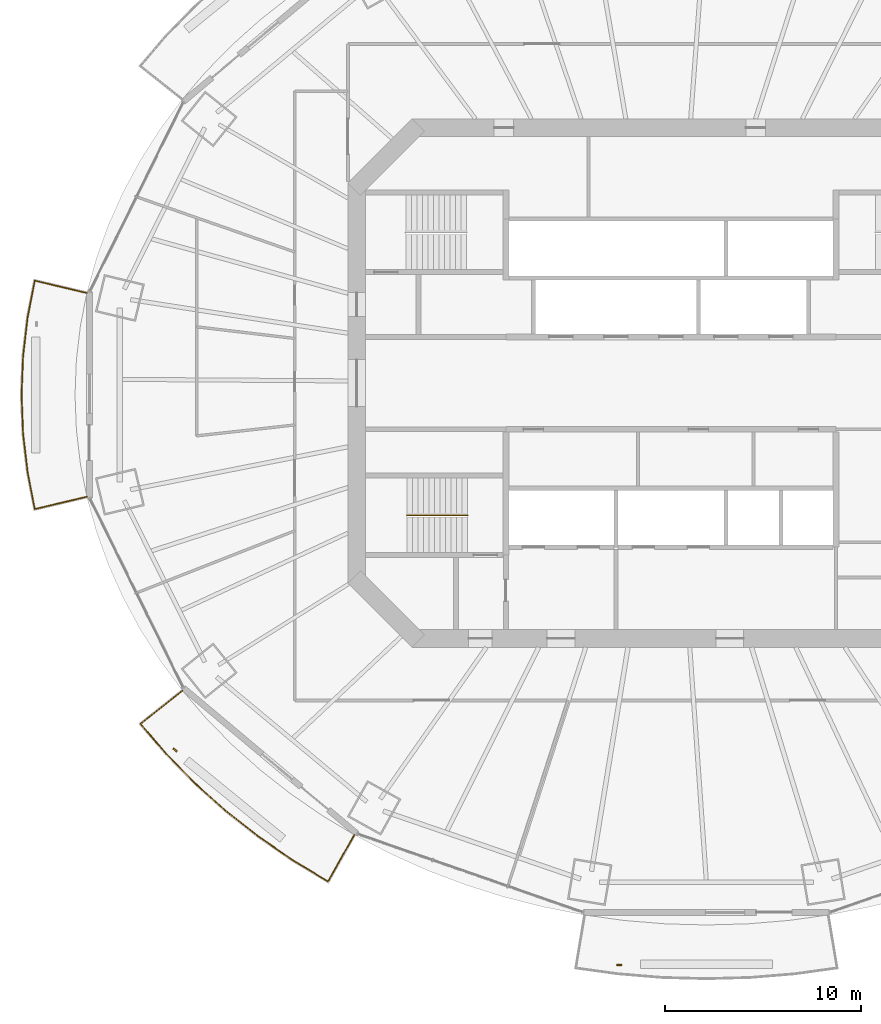
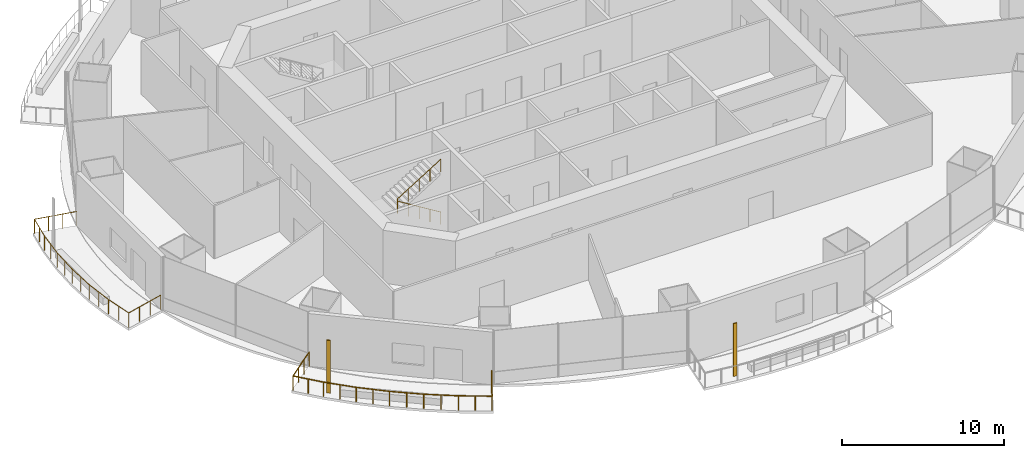
# One storey, part 15 of 20: 3 railings, 2 shading devices.
"""IFC4 building model written with IfcOpenShell, lengths in metres."""

from ifc_helpers import new_model, si_unit, direction, frame, origin, origin_2d, place, context, subcontext, project, spatial, rectangle, circle, extrude, material, material_profile, profile_set, type_object, element, save


model = new_model("IFC4")

# Units and contexts
model_context = context("Model", 3, precision=1e-05, world=origin(), true_north=direction((0.0, 1.0)))
body_context = subcontext(model_context, "Body", "Model", "MODEL_VIEW")
ifc_project = project(units=[si_unit("LENGTHUNIT", "METRE"), si_unit("AREAUNIT", "SQUARE_METRE"), si_unit("VOLUMEUNIT", "CUBIC_METRE"), si_unit("PLANEANGLEUNIT", "RADIAN"), si_unit("MASSUNIT", "GRAM", prefix="KILO")], contexts=[model_context])

# Site, building, storey
site_placement = place(None, origin())
site = spatial("IfcSite", under=ifc_project, at=site_placement, CompositionType="ELEMENT")
building_placement = place(site_placement, origin())
building = spatial("IfcBuilding", under=site, at=building_placement, Name="Marenthal Gate Tower", CompositionType="ELEMENT")
storey_placement = place(building_placement, frame((0.0, 0.0, 194.25)))
storey = spatial("IfcBuildingStorey", under=building, at=storey_placement, Name="L42", CompositionType="ELEMENT", Elevation=194.25)

# Railings
ifc_material_1 = material(Name="Stainless steel", Category="steel")
railing_type_1 = type_object("IfcRailingType", Name="Balcony guard 1100", PredefinedType="GUARDRAIL", material=ifc_material_1)
railing_1_placement = place(storey_placement, frame((-29.73583984375, -5.785888671875, 0.0)))
element("IfcRailing", 1, at=railing_1_placement, inside=storey, type_object=railing_type_1, Name="Balcony guard L42 bay 8", PredefinedType="GUARDRAIL", context=body_context, shape_type="SweptSolid", body=[
    extrude(circle(Radius=0.02392578125, at=origin_2d()), frame((0.0, 0.0, 1.076171875), z_axis=(-0.973011948097, -0.230284879064, -0.014718129449), x_axis=(0.230309825657, -0.973117353769, 0.0)), (0.0, 0.0, 1.0), 2.720458984375),
    extrude(circle(Radius=0.02392578125, at=origin_2d()), frame((-2.64697265625, -0.62646484375, 1.0361328125), z_axis=(-0.191356774256, 0.981520547389, 0.0), x_axis=(-0.981520547389, -0.191356774256, 0.0)), (0.0, 0.0, 1.0), 1.90478515625),
    extrude(circle(Radius=0.02392578125, at=origin_2d()), frame((-3.011474609375, 1.2431640625, 1.0361328125), z_axis=(-0.116519312563, 0.993188426131, 0.0), x_axis=(-0.993188426131, -0.116519312563, 0.0)), (0.0, 0.0, 1.0), 1.97998046875),
    extrude(circle(Radius=0.02392578125, at=origin_2d()), frame((-3.2421875, 3.209716796875, 1.0361328125), z_axis=(-0.038888278097, 0.999243564816, 0.0), x_axis=(-0.999243564816, -0.038888278097, 0.0)), (0.0, 0.0, 1.0), 1.9775390625),
    extrude(circle(Radius=0.02392578125, at=origin_2d()), frame((-3.319091796875, 5.185791015625, 1.0361328125), z_axis=(0.038888278097, 0.999243564816, 0.0), x_axis=(-0.999243564816, 0.038888278097, 0.0)), (0.0, 0.0, 1.0), 1.9775390625),
    extrude(circle(Radius=0.02392578125, at=origin_2d()), frame((-3.2421875, 7.161865234375, 1.0361328125), z_axis=(0.116519312563, 0.993188426131, 0.0), x_axis=(-0.993188426131, 0.116519312563, 0.0)), (0.0, 0.0, 1.0), 1.97998046875),
    extrude(circle(Radius=0.02392578125, at=origin_2d()), frame((-3.011474609375, 9.12841796875, 1.0361328125), z_axis=(0.19133270439, 0.981525239732, 0.0), x_axis=(-0.981525239732, 0.19133270439, 0.0)), (0.0, 0.0, 1.0), 1.905029296875),
    extrude(circle(Radius=0.02392578125, at=origin_2d()), frame((-2.64697265625, 10.998291015625, 1.0361328125), z_axis=(0.973011948097, -0.230284879064, 0.014718129449), x_axis=(0.230309825657, 0.973117353769, 0.0)), (0.0, 0.0, 1.0), 2.720458984375),
    extrude(circle(Radius=0.02099609375, at=origin_2d()), origin(), (0.0, 0.0, 1.0), 1.052001953125),
    extrude(circle(Radius=0.02099609375, at=origin_2d()), frame((-0.88232421875, -0.208740234375, -0.013427734375)), (0.0, 0.0, 1.0), 1.052001953125),
    extrude(circle(Radius=0.02099609375, at=origin_2d()), frame((-1.7646484375, -0.417724609375, -0.026611328125)), (0.0, 0.0, 1.0), 1.052001953125),
    extrude(circle(Radius=0.02099609375, at=origin_2d()), frame((-2.64697265625, -0.62646484375, -0.0400390625)), (0.0, 0.0, 1.0), 1.052001953125),
    extrude(circle(Radius=0.02099609375, at=origin_2d()), frame((-2.8291015625, 0.308349609375, -0.0400390625)), (0.0, 0.0, 1.0), 1.052001953125),
    extrude(circle(Radius=0.02099609375, at=origin_2d()), frame((-3.011474609375, 1.2431640625, -0.0400390625)), (0.0, 0.0, 1.0), 1.052001953125),
    extrude(circle(Radius=0.02099609375, at=origin_2d()), frame((-3.126953125, 2.2265625, -0.0400390625)), (0.0, 0.0, 1.0), 1.052001953125),
    extrude(circle(Radius=0.02099609375, at=origin_2d()), frame((-3.2421875, 3.209716796875, -0.0400390625)), (0.0, 0.0, 1.0), 1.052001953125),
    extrude(circle(Radius=0.02099609375, at=origin_2d()), frame((-3.28076171875, 4.19775390625, -0.0400390625)), (0.0, 0.0, 1.0), 1.052001953125),
    extrude(circle(Radius=0.02099609375, at=origin_2d()), frame((-3.319091796875, 5.185791015625, -0.0400390625)), (0.0, 0.0, 1.0), 1.052001953125),
    extrude(circle(Radius=0.02099609375, at=origin_2d()), frame((-3.28076171875, 6.173828125, -0.0400390625)), (0.0, 0.0, 1.0), 1.052001953125),
    extrude(circle(Radius=0.02099609375, at=origin_2d()), frame((-3.2421875, 7.161865234375, -0.0400390625)), (0.0, 0.0, 1.0), 1.052001953125),
    extrude(circle(Radius=0.02099609375, at=origin_2d()), frame((-3.126953125, 8.14501953125, -0.0400390625)), (0.0, 0.0, 1.0), 1.052001953125),
    extrude(circle(Radius=0.02099609375, at=origin_2d()), frame((-3.011474609375, 9.12841796875, -0.0400390625)), (0.0, 0.0, 1.0), 1.052001953125),
    extrude(circle(Radius=0.02099609375, at=origin_2d()), frame((-2.8291015625, 10.0634765625, -0.0400390625)), (0.0, 0.0, 1.0), 1.052001953125),
    extrude(circle(Radius=0.02099609375, at=origin_2d()), frame((-2.64697265625, 10.998291015625, -0.0400390625)), (0.0, 0.0, 1.0), 1.052001953125),
    extrude(circle(Radius=0.02099609375, at=origin_2d()), frame((-1.7646484375, 10.78955078125, -0.026611328125)), (0.0, 0.0, 1.0), 1.052001953125),
    extrude(circle(Radius=0.02099609375, at=origin_2d()), frame((-0.88232421875, 10.58056640625, -0.013427734375)), (0.0, 0.0, 1.0), 1.052001953125),
    extrude(circle(Radius=0.02099609375, at=origin_2d()), frame((0.0, 10.371826171875, 0.0)), (0.0, 0.0, 1.0), 1.052001953125),
])
railing_2_placement = place(storey_placement, frame((-16.123046875, -22.994873046875, 0.0)))
element("IfcRailing", 2, at=railing_2_placement, inside=storey, type_object=railing_type_1, Name="Balcony guard L42 bay 10", PredefinedType="GUARDRAIL", context=body_context, shape_type="SweptSolid", body=[
    extrude(circle(Radius=0.02392578125, at=origin_2d()), frame((0.0, 0.0, 1.076171875), z_axis=(-0.489517638595, -0.871869149489, -0.014719635631), x_axis=(0.871963617771, -0.489570678538, 0.0)), (0.0, 0.0, 1.0), 2.72021484375),
    extrude(circle(Radius=0.02392578125, at=origin_2d()), frame((-1.33154296875, -2.37158203125, 1.0361328125), z_axis=(-0.856269071779, 0.516530034668, 0.0), x_axis=(-0.516530034668, -0.856269071779, 0.0)), (0.0, 0.0, 1.0), 2.0810546875),
    extrude(circle(Radius=0.02392578125, at=origin_2d()), frame((-3.113525390625, -1.296630859375, 1.0361328125), z_axis=(-0.823383437497, 0.567485431404, 0.0), x_axis=(-0.567485431404, -0.823383437497, 0.0)), (0.0, 0.0, 1.0), 2.143798828125),
    extrude(circle(Radius=0.02392578125, at=origin_2d()), frame((-4.878662109375, -0.080078125, 1.0361328125), z_axis=(-0.786051281146, 0.61816129239, 0.0), x_axis=(-0.61816129239, -0.786051281146, 0.0)), (0.0, 0.0, 1.0), 2.1259765625),
    extrude(circle(Radius=0.02392578125, at=origin_2d()), frame((-6.5498046875, 1.234130859375, 1.0361328125), z_axis=(-0.744623035751, 0.667485231768, 0.0), x_axis=(-0.667485231768, -0.744623035751, 0.0)), (0.0, 0.0, 1.0), 2.10791015625),
    extrude(circle(Radius=0.02392578125, at=origin_2d()), frame((-8.119384765625, 2.64111328125, 1.0361328125), z_axis=(-0.698941095917, 0.715179239379, 0.0), x_axis=(-0.715179239379, -0.698941095917, 0.0)), (0.0, 0.0, 1.0), 2.08984375),
    extrude(circle(Radius=0.02392578125, at=origin_2d()), frame((-9.580078125, 4.1357421875, 1.0361328125), z_axis=(-0.650145331718, 0.759809875986, 0.0), x_axis=(-0.759809875986, -0.650145331718, 0.0)), (0.0, 0.0, 1.0), 1.992431640625),
    extrude(circle(Radius=0.02392578125, at=origin_2d()), frame((-10.87548828125, 5.649658203125, 1.0361328125), z_axis=(0.782654389214, 0.622282483065, 0.01471795893), x_axis=(-0.622349892908, 0.782739171626, 0.0)), (0.0, 0.0, 1.0), 2.720458984375),
    extrude(circle(Radius=0.02099609375, at=origin_2d()), origin(), (0.0, 0.0, 1.0), 1.052001953125),
    extrude(circle(Radius=0.02099609375, at=origin_2d()), frame((-0.44384765625, -0.79052734375, -0.013427734375)), (0.0, 0.0, 1.0), 1.052001953125),
    extrude(circle(Radius=0.02099609375, at=origin_2d()), frame((-0.8876953125, -1.5810546875, -0.026611328125)), (0.0, 0.0, 1.0), 1.052001953125),
    extrude(circle(Radius=0.02099609375, at=origin_2d()), frame((-1.33154296875, -2.37158203125, -0.0400390625)), (0.0, 0.0, 1.0), 1.052001953125),
    extrude(circle(Radius=0.02099609375, at=origin_2d()), frame((-2.22265625, -1.833984375, -0.0400390625)), (0.0, 0.0, 1.0), 1.052001953125),
    extrude(circle(Radius=0.02099609375, at=origin_2d()), frame((-3.113525390625, -1.296630859375, -0.0400390625)), (0.0, 0.0, 1.0), 1.052001953125),
    extrude(circle(Radius=0.02099609375, at=origin_2d()), frame((-3.99609375, -0.6884765625, -0.0400390625)), (0.0, 0.0, 1.0), 1.052001953125),
    extrude(circle(Radius=0.02099609375, at=origin_2d()), frame((-4.878662109375, -0.080078125, -0.0400390625)), (0.0, 0.0, 1.0), 1.052001953125),
    extrude(circle(Radius=0.02099609375, at=origin_2d()), frame((-5.71435546875, 0.5771484375, -0.0400390625)), (0.0, 0.0, 1.0), 1.052001953125),
    extrude(circle(Radius=0.02099609375, at=origin_2d()), frame((-6.5498046875, 1.234130859375, -0.0400390625)), (0.0, 0.0, 1.0), 1.052001953125),
    extrude(circle(Radius=0.02099609375, at=origin_2d()), frame((-7.33447265625, 1.9375, -0.0400390625)), (0.0, 0.0, 1.0), 1.052001953125),
    extrude(circle(Radius=0.02099609375, at=origin_2d()), frame((-8.119384765625, 2.64111328125, -0.0400390625)), (0.0, 0.0, 1.0), 1.052001953125),
    extrude(circle(Radius=0.02099609375, at=origin_2d()), frame((-8.849609375, 3.388427734375, -0.0400390625)), (0.0, 0.0, 1.0), 1.052001953125),
    extrude(circle(Radius=0.02099609375, at=origin_2d()), frame((-9.580078125, 4.1357421875, -0.0400390625)), (0.0, 0.0, 1.0), 1.052001953125),
    extrude(circle(Radius=0.02099609375, at=origin_2d()), frame((-10.227783203125, 4.892578125, -0.0400390625)), (0.0, 0.0, 1.0), 1.052001953125),
    extrude(circle(Radius=0.02099609375, at=origin_2d()), frame((-10.87548828125, 5.649658203125, -0.0400390625)), (0.0, 0.0, 1.0), 1.052001953125),
    extrude(circle(Radius=0.02099609375, at=origin_2d()), frame((-10.165771484375, 6.2138671875, -0.026611328125)), (0.0, 0.0, 1.0), 1.052001953125),
    extrude(circle(Radius=0.02099609375, at=origin_2d()), frame((-9.4560546875, 6.7783203125, -0.013427734375)), (0.0, 0.0, 1.0), 1.052001953125),
    extrude(circle(Radius=0.02099609375, at=origin_2d()), frame((-8.746337890625, 7.342529296875, 0.0)), (0.0, 0.0, 1.0), 1.052001953125),
])
ifc_material_2 = material(Name="Stainless steel", Category="steel")
railing_type_2 = type_object("IfcRailingType", Name="Stair handrail", PredefinedType="HANDRAIL", material=ifc_material_2)
railing_3_placement = place(storey_placement, frame((-10.35009765625, -6.72509765625, 0.1728515625)))
element("IfcRailing", 3, at=railing_3_placement, inside=storey, type_object=railing_type_2, Name="Handrail ST2", PredefinedType="HANDRAIL", context=body_context, shape_type="SweptSolid", body=[
    extrude(circle(Radius=0.0224609375, at=origin_2d()), frame((0.0, 0.0, 0.927490234375), z_axis=(-0.850816621229, 0.0, 0.525462726595), x_axis=(0.0, -1.0, 0.0)), (0.0, 0.0, 1.0), 3.619873046875),
    extrude(circle(Radius=0.0224609375, at=origin_2d()), frame((-3.079833984375, 0.0, 2.82958984375), z_axis=(0.0, 0.0, 1.0), x_axis=(1.0, 0.0, 0.0)), (0.0, 0.0, 1.0), 0.1728515625),
    extrude(circle(Radius=0.0224609375, at=origin_2d()), frame((-3.079833984375, 0.0, 3.00244140625), z_axis=(0.850816621229, 0.0, 0.525462726595), x_axis=(0.0, 1.0, 0.0)), (0.0, 0.0, 1.0), 3.619873046875),
    extrude(circle(Radius=0.02001953125, at=origin_2d()), origin(), (0.0, 0.0, 1.0), 0.905029296875),
    extrude(circle(Radius=0.02001953125, at=origin_2d()), frame((-0.77001953125, 0.0, 0.4755859375)), (0.0, 0.0, 1.0), 0.905029296875),
    extrude(circle(Radius=0.02001953125, at=origin_2d()), frame((-1.5400390625, 0.0, 0.951171875)), (0.0, 0.0, 1.0), 0.905029296875),
    extrude(circle(Radius=0.02001953125, at=origin_2d()), frame((-2.309814453125, 0.0, 1.426513671875)), (0.0, 0.0, 1.0), 0.905029296875),
    extrude(circle(Radius=0.02001953125, at=origin_2d()), frame((-3.079833984375, 0.0, 1.902099609375)), (0.0, 0.0, 1.0), 0.905029296875),
    extrude(circle(Radius=0.02001953125, at=origin_2d()), frame((-3.079833984375, 0.0, 2.074951171875)), (0.0, 0.0, 1.0), 0.905029296875),
    extrude(circle(Radius=0.02001953125, at=origin_2d()), frame((-2.309814453125, 0.0, 2.550537109375)), (0.0, 0.0, 1.0), 0.905029296875),
    extrude(circle(Radius=0.02001953125, at=origin_2d()), frame((-1.5400390625, 0.0, 3.02587890625)), (0.0, 0.0, 1.0), 0.905029296875),
    extrude(circle(Radius=0.02001953125, at=origin_2d()), frame((-0.77001953125, 0.0, 3.50146484375)), (0.0, 0.0, 1.0), 0.905029296875),
    extrude(circle(Radius=0.02001953125, at=origin_2d()), frame((0.0, 0.0, 3.97705078125)), (0.0, 0.0, 1.0), 0.905029296875),
])

# Shading devices
ifc_material_3 = material(Name="Terracotta", Category="masonry")
ifc_material_profile = material_profile(ifc_material_3, rectangle(XDim=0.25, YDim=0.080078125, at=origin_2d()), Name="Terracotta baguette 250x80")
ifc_profile_set = profile_set([ifc_material_profile], Name="Terracotta")
shading_device_type = type_object("IfcShadingDeviceType", Name="Terracotta BAGUETTE SCREEN 250x80", PredefinedType="USERDEFINED", material=ifc_profile_set)
for number, where, z_axis, x_axis, name in (
    (4, (-25.243408203125, -18.675048828125, -0.0400390625), (0.0, 0.0, 1.0), (0.765779593212, -0.64310311352, 0.0), "Terracotta BAGUETTE L42 bay 10L"),
    (5, (-2.63037109375, -29.625, -0.0400390625), (0.0, 0.0, 1.0), (1.0, 0.0, 0.0), "Terracotta BAGUETTE L42 bay 12L"),
):
    element("IfcShadingDevice", number, at=place(storey_placement, frame(where, z_axis=z_axis, x_axis=x_axis)), inside=storey, type_object=shading_device_type, Name=name, ObjectType="BAGUETTE SCREEN", PredefinedType="USERDEFINED", context=body_context, shape_type="SweptSolid", body=[
        extrude(rectangle(XDim=0.25, YDim=0.080078125, at=origin_2d()), origin(), (0.0, 0.0, 1.0), 3.969970703125),
    ])

save(model, "model.ifc")
